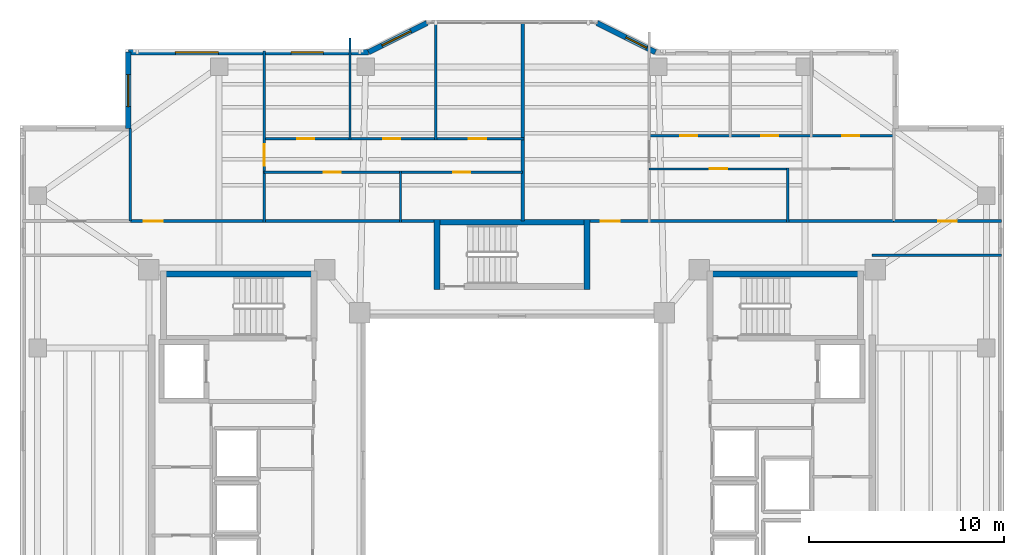
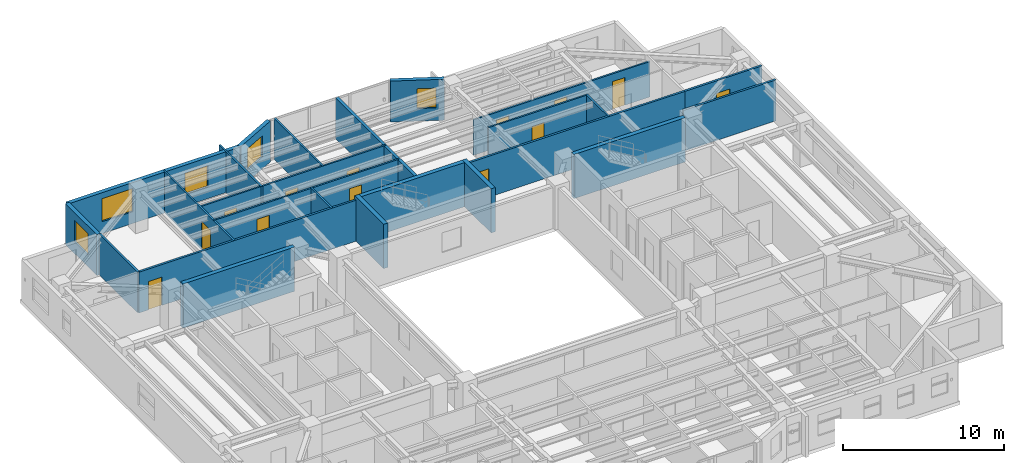
# One storey, part 10 of 16: 25 walls, 13 doors, 5 windows, 18 openings.
"""IFC4 building model written with IfcOpenShell, lengths in metres."""

from ifc_helpers import new_model, si_unit, direction, frame, frame_2d, origin, place, context, subcontext, project, spatial, rectangle, extrude, material, layer, layer_set, type_object, element, fill, save


model = new_model("IFC4")

# Units and contexts
model_context = context("Model", 3, precision=1e-05, world=origin(), true_north=direction((0.0, 1.0)))
body_context = subcontext(model_context, "Body", "Model", "MODEL_VIEW")
ifc_project = project(units=[si_unit("LENGTHUNIT", "METRE"), si_unit("AREAUNIT", "SQUARE_METRE"), si_unit("VOLUMEUNIT", "CUBIC_METRE"), si_unit("PLANEANGLEUNIT", "RADIAN"), si_unit("MASSUNIT", "GRAM", prefix="KILO")], contexts=[model_context])

# Site, building, storey
site_placement = place(None, origin())
site = spatial("IfcSite", under=ifc_project, at=site_placement, CompositionType="ELEMENT")
building_placement = place(site_placement, origin())
building = spatial("IfcBuilding", under=site, at=building_placement, Name="Tarnavaz Court Tower", CompositionType="ELEMENT")
storey_placement = place(building_placement, frame((0.0, 0.0, 149.35009765625)))
storey = spatial("IfcBuildingStorey", under=building, at=storey_placement, Name="L40", CompositionType="ELEMENT", Elevation=149.35009765625)

# Walls
ifc_material_1 = material(Name="Concrete C50/60", Category="concrete")
ifc_layer_1 = layer(ifc_material_1, 0.300048828125)
ifc_layer_set_1 = layer_set([ifc_layer_1], Name="Concrete C50/60")
wall_type_1 = type_object("IfcWallType", Name="WL-CORE-300-C50", PredefinedType="SHEAR", material=ifc_layer_set_1)
for number, where, z_axis, x_axis, name in (
    (1, (-18.0, 9.7900390625, 0.0), (0.0, 0.0, 1.0), (1.0, 0.0, 0.0), "L40 West Stair Core Wall 001"),
    (2, (10.0, 9.7900390625, 0.0), (0.0, 0.0, 1.0), (1.0, 0.0, 0.0), "L40 East Stair Core Wall 005"),
    (3, (-4.0, 12.43994140625, 0.0), (0.0, 0.0, 1.0), (1.0, 0.0, 0.0), "L40 North Stair Core Wall 009"),
):
    element("IfcWall", number, at=place(storey_placement, frame(where, z_axis=z_axis, x_axis=x_axis)), inside=storey, type_object=wall_type_1, Name=name, PredefinedType="SHEAR", context=body_context, shape_type="SweptSolid", body=[
        extrude(rectangle(XDim=8.0, YDim=0.300048828125, at=frame_2d((4.0, 0.0))), origin(), (0.0, 0.0, 1.0), 3.349853515625),
    ])
for number, where, z_axis, x_axis, name in (
    (4, (-3.85009765625, 9.0, 0.0), (0.0, 0.0, 1.0), (0.0, 1.0, 0.0), "L40 North Stair Core Wall 011"),
    (5, (3.85009765625, 9.0, 0.0), (0.0, 0.0, 1.0), (0.0, 1.0, 0.0), "L40 North Stair Core Wall 012"),
):
    element("IfcWall", number, at=place(storey_placement, frame(where, z_axis=z_axis, x_axis=x_axis)), inside=storey, type_object=wall_type_1, Name=name, PredefinedType="SHEAR", context=body_context, shape_type="SweptSolid", body=[
        extrude(rectangle(XDim=3.590087890625, YDim=0.300048828125, at=frame_2d((1.794921875, 0.0))), origin(), (0.0, 0.0, 1.0), 3.349853515625),
    ])

# Wall, opening, window
ifc_material_2 = material(Name="Precast Concrete C40/50", Category="concrete")
ifc_layer_2 = layer(ifc_material_2, 0.280029296875)
ifc_layer_set_2 = layer_set([ifc_layer_2], Name="Precast Concrete C40/50")
wall_type_2 = type_object("IfcWallType", Name="WL-EXT-280", PredefinedType="SOLIDWALL", material=ifc_layer_set_2)
wall_1_placement = place(storey_placement, frame((-19.64990234375, 17.25, 0.0), z_axis=(0.0, 0.0, 1.0), x_axis=(0.0, 1.0, 0.0)))
wall_1 = element("IfcWall", 6, at=wall_1_placement, inside=storey, type_object=wall_type_2, Name="L40 Exterior Terracotta Facade Wall 04", PredefinedType="SOLIDWALL", context=body_context, shape_type="SweptSolid", body=[
    extrude(rectangle(XDim=3.89990234375, YDim=0.280029296875, at=frame_2d((1.949951171875, 0.0))), origin(), (0.0, 0.0, 1.0), 3.099853515625),
])
opening_1_placement = place(wall_1_placement, frame((1.107177734375, 0.0, 0.89990234375)))
opening_1 = element("IfcOpeningElement", 7, at=opening_1_placement, cuts=wall_1, Name="Opening W02", PredefinedType="OPENING", context=body_context, shape_type="SweptSolid", body=[
    extrude(rectangle(XDim=1.64990234375, YDim=1.60009765625, at=frame_2d((0.824951171875, 0.800048828125))), frame((0.0, 0.14990234375, 0.0), z_axis=(0.0, -1.0, 0.0), x_axis=(1.0, 0.0, 0.0)), (0.0, 0.0, 1.0), 0.300048828125),
])
ifc_material_3 = material(Name="Double-Glazed Solar Low-E Glass", Category="glass")
window_type_1 = type_object("IfcWindowType", Name="WN-APT-1650", PartitioningType="DOUBLE_PANEL_VERTICAL", PredefinedType="WINDOW", material=ifc_material_3)
window_1_placement = place(opening_1_placement, origin())
window_1 = element("IfcWindow", 8, at=window_1_placement, inside=storey, type_object=window_type_1, Name="L40 Flat 01 Living and Dining Room Window", OverallHeight=1.60009765625, OverallWidth=1.64990234375, PartitioningType="SINGLE_PANEL", PredefinedType="WINDOW", context=body_context, shape_type="SweptSolid", body=[
    extrude(rectangle(XDim=1.64990234375, YDim=1.60009765625, at=frame_2d((0.824951171875, 0.800048828125))), frame((0.0, 0.030029296875, 0.0), z_axis=(0.0, -1.0, 0.0), x_axis=(1.0, 0.0, 0.0)), (0.0, 0.0, 1.0), 0.06005859375),
])
fill(opening_1, window_1)

# Wall, openings, windows
wall_2_placement = place(storey_placement, frame((-19.64990234375, 21.14990234375, 0.0), z_axis=(0.0, 0.0, 1.0), x_axis=(1.0, 0.0, 0.0)))
wall_2 = element("IfcWall", 9, at=wall_2_placement, inside=storey, type_object=wall_type_2, Name="L40 Exterior Terracotta Facade Wall 05", PredefinedType="SOLIDWALL", context=body_context, shape_type="SweptSolid", body=[
    extrude(rectangle(XDim=12.2998046875, YDim=0.280029296875, at=frame_2d((6.14990234375, 0.0))), origin(), (0.0, 0.0, 1.0), 3.099853515625),
])
opening_2_placement = place(wall_2_placement, frame((2.414306640625, 0.0, 0.89990234375)))
opening_2 = element("IfcOpeningElement", 10, at=opening_2_placement, cuts=wall_2, Name="Opening W07", PredefinedType="OPENING", context=body_context, shape_type="SweptSolid", body=[
    extrude(rectangle(XDim=2.199951171875, YDim=1.75, at=frame_2d((1.10009765625, 0.875))), frame((0.0, 0.14990234375, 0.0), z_axis=(0.0, -1.0, 0.0), x_axis=(1.0, 0.0, 0.0)), (0.0, 0.0, 1.0), 0.300048828125),
])
opening_3_placement = place(wall_2_placement, frame((8.337158203125, 0.0, 0.89990234375)))
opening_3 = element("IfcOpeningElement", 11, at=opening_3_placement, cuts=wall_2, Name="Opening W02", PredefinedType="OPENING", context=body_context, shape_type="SweptSolid", body=[
    extrude(rectangle(XDim=1.64990234375, YDim=1.60009765625, at=frame_2d((0.824951171875, 0.800048828125))), frame((0.0, 0.14990234375, 0.0), z_axis=(0.0, -1.0, 0.0), x_axis=(1.0, 0.0, 0.0)), (0.0, 0.0, 1.0), 0.300048828125),
])
window_2_placement = place(opening_3_placement, origin())
window_2 = element("IfcWindow", 12, at=window_2_placement, inside=storey, type_object=window_type_1, Name="L40 Flat 01 Principal Bedroom Window", OverallHeight=1.60009765625, OverallWidth=1.64990234375, PartitioningType="SINGLE_PANEL", PredefinedType="WINDOW", context=body_context, shape_type="SweptSolid", body=[
    extrude(rectangle(XDim=1.64990234375, YDim=1.60009765625, at=frame_2d((0.824951171875, 0.800048828125))), frame((0.0, 0.030029296875, 0.0), z_axis=(0.0, -1.0, 0.0), x_axis=(1.0, 0.0, 0.0)), (0.0, 0.0, 1.0), 0.06005859375),
])
fill(opening_3, window_2)
window_type_2 = type_object("IfcWindowType", Name="WN-APT-2200", PartitioningType="TRIPLE_PANEL_VERTICAL", PredefinedType="WINDOW", material=ifc_material_3)
window_3_placement = place(opening_2_placement, origin())
window_3 = element("IfcWindow", 13, at=window_3_placement, inside=storey, type_object=window_type_2, Name="L40 Flat 01 Living and Dining Room Window", OverallHeight=1.75, OverallWidth=2.199951171875, PartitioningType="SINGLE_PANEL", PredefinedType="WINDOW", context=body_context, shape_type="SweptSolid", body=[
    extrude(rectangle(XDim=2.199951171875, YDim=1.75, at=frame_2d((1.10009765625, 0.875))), frame((0.0, 0.030029296875, 0.0), z_axis=(0.0, -1.0, 0.0), x_axis=(1.0, 0.0, 0.0)), (0.0, 0.0, 1.0), 0.06005859375),
])
fill(opening_2, window_3)

# Wall, opening, window
wall_3_placement = place(storey_placement, frame((-7.35009765625, 21.14990234375, 0.0), z_axis=(0.0, 0.0, 1.0), x_axis=(0.894427191, 0.4472135955, 0.0)))
wall_3 = element("IfcWall", 14, at=wall_3_placement, inside=storey, type_object=wall_type_2, Name="L40 Exterior Terracotta Facade Wall 06", PredefinedType="SOLIDWALL", context=body_context, shape_type="SweptSolid", body=[
    extrude(rectangle(XDim=3.35400390625, YDim=0.280029296875, at=frame_2d((1.677001953125, 0.0))), origin(), (0.0, 0.0, 1.0), 3.099853515625),
])
opening_4_placement = place(wall_3_placement, frame((0.77197265625, 0.0, 0.89990234375)))
opening_4 = element("IfcOpeningElement", 15, at=opening_4_placement, cuts=wall_3, Name="Opening W02", PredefinedType="OPENING", context=body_context, shape_type="SweptSolid", body=[
    extrude(rectangle(XDim=1.64990234375, YDim=1.60009765625, at=frame_2d((0.824951171875, 0.800048828125))), frame((0.0, 0.14990234375, 0.0), z_axis=(0.0, -1.0, 0.0), x_axis=(1.0, 0.0, 0.0)), (0.0, 0.0, 1.0), 0.300048828125),
])
window_4_placement = place(opening_4_placement, origin())
window_4 = element("IfcWindow", 16, at=window_4_placement, inside=storey, type_object=window_type_1, Name="L40 Flat 01 Bedroom 2 Window", OverallHeight=1.60009765625, OverallWidth=1.64990234375, PartitioningType="SINGLE_PANEL", PredefinedType="WINDOW", context=body_context, shape_type="SweptSolid", body=[
    extrude(rectangle(XDim=1.64990234375, YDim=1.60009765625, at=frame_2d((0.824951171875, 0.800048828125))), frame((0.0, 0.030029296875, 0.0), z_axis=(0.0, -1.0, 0.0), x_axis=(1.0, 0.0, 0.0)), (0.0, 0.0, 1.0), 0.06005859375),
])
fill(opening_4, window_4)

wall_4_placement = place(storey_placement, frame((4.35009765625, 22.64990234375, 0.0), z_axis=(0.0, 0.0, 1.0), x_axis=(0.894427191, -0.4472135955, 0.0)))
wall_4 = element("IfcWall", 17, at=wall_4_placement, inside=storey, type_object=wall_type_2, Name="L40 Exterior Terracotta Facade Wall 08", PredefinedType="SOLIDWALL", context=body_context, shape_type="SweptSolid", body=[
    extrude(rectangle(XDim=3.35400390625, YDim=0.280029296875, at=frame_2d((1.677001953125, 0.0))), origin(), (0.0, 0.0, 1.0), 3.099853515625),
])
opening_5_placement = place(wall_4_placement, frame((1.65283203125, 0.0, 0.949951171875)))
opening_5 = element("IfcOpeningElement", 18, at=opening_5_placement, cuts=wall_4, Name="Opening W05", PredefinedType="OPENING", context=body_context, shape_type="SweptSolid", body=[
    extrude(rectangle(XDim=1.199951171875, YDim=1.5, at=frame_2d((0.60009765625, 0.75))), frame((0.0, 0.14990234375, 0.0), z_axis=(0.0, -1.0, 0.0), x_axis=(1.0, 0.0, 0.0)), (0.0, 0.0, 1.0), 0.300048828125),
])
window_type_3 = type_object("IfcWindowType", Name="WN-APT-1200", PartitioningType="SINGLE_PANEL", PredefinedType="WINDOW", material=ifc_material_3)
window_5_placement = place(opening_5_placement, origin())
window_5 = element("IfcWindow", 19, at=window_5_placement, inside=storey, type_object=window_type_3, Name="L40 Flat 02 Living and Dining Room Window", OverallHeight=1.5, OverallWidth=1.199951171875, PartitioningType="SINGLE_PANEL", PredefinedType="WINDOW", context=body_context, shape_type="SweptSolid", body=[
    extrude(rectangle(XDim=1.199951171875, YDim=1.5, at=frame_2d((0.60009765625, 0.75))), frame((0.0, 0.030029296875, 0.0), z_axis=(0.0, -1.0, 0.0), x_axis=(1.0, 0.0, 0.0)), (0.0, 0.0, 1.0), 0.06005859375),
])
fill(opening_5, window_5)

# Wall, opening, door
ifc_material_4 = material(Name="Gypsum Fire-Board on Acoustic Metal Stud", Category="masonry")
ifc_layer_3 = layer(ifc_material_4, 0.14990234375)
ifc_layer_set_3 = layer_set([ifc_layer_3], Name="Gypsum Fire-Board on Acoustic Metal Stud")
wall_type_3 = type_object("IfcWallType", Name="WL-FIRE-150", PredefinedType="PARTITIONING", material=ifc_layer_set_3)
wall_5_placement = place(storey_placement, frame((-19.550048828125, 12.5, 0.0), z_axis=(0.0, 0.0, 1.0), x_axis=(1.0, 0.0, 0.0)))
wall_5 = element("IfcWall", 20, at=wall_5_placement, inside=storey, type_object=wall_type_3, Name="L40 NW Wing Corridor Wall 072", PredefinedType="PARTITIONING", context=body_context, shape_type="SweptSolid", body=[
    extrude(rectangle(XDim=15.699951171875, YDim=0.14990234375, at=frame_2d((7.85009765625, 0.0))), origin(), (0.0, 0.0, 1.0), 3.099853515625),
])
opening_6_placement = place(wall_5_placement, frame((0.699951171875, 0.0, 0.0)))
opening_6 = element("IfcOpeningElement", 21, at=opening_6_placement, cuts=wall_5, Name="Opening D06", PredefinedType="OPENING", context=body_context, shape_type="SweptSolid", body=[
    extrude(rectangle(XDim=0.9599609375, YDim=2.14990234375, at=frame_2d((0.47998046875, 1.074951171875))), frame((0.0, 0.0849609375, 0.0), z_axis=(0.0, -1.0, 0.0), x_axis=(1.0, 0.0, 0.0)), (0.0, 0.0, 1.0), 0.169921875),
])
ifc_material_5 = material(Name="Fire-Rated Hardwood Timber Core", Category="wood")
door_type_1 = type_object("IfcDoorType", Name="DR-FD60-950", OperationType="NOTDEFINED", PredefinedType="DOOR", material=ifc_material_5)
door_1_placement = place(opening_6_placement, origin())
door_1 = element("IfcDoor", 22, at=door_1_placement, inside=storey, type_object=door_type_1, Name="L40 Flat 01 Entrance Door", OperationType="SINGLE_SWING_RIGHT", OverallHeight=2.14990234375, OverallWidth=0.9599609375, PredefinedType="DOOR", context=body_context, shape_type="SweptSolid", body=[
    extrude(rectangle(XDim=0.9599609375, YDim=2.14990234375, at=frame_2d((0.47998046875, 1.074951171875))), frame((0.0, 0.02490234375, 0.0), z_axis=(0.0, -1.0, 0.0), x_axis=(1.0, 0.0, 0.0)), (0.0, 0.0, 1.0), 0.050048828125),
])
fill(opening_6, door_1)

wall_6_placement = place(storey_placement, frame((3.85009765625, 12.5, 0.0), z_axis=(0.0, 0.0, 1.0), x_axis=(1.0, 0.0, 0.0)))
wall_6 = element("IfcWall", 23, at=wall_6_placement, inside=storey, type_object=wall_type_3, Name="L40 NE Wing Corridor Wall 073", PredefinedType="PARTITIONING", context=body_context, shape_type="SweptSolid", body=[
    extrude(rectangle(XDim=15.699951171875, YDim=0.14990234375, at=frame_2d((7.85009765625, 0.0))), origin(), (0.0, 0.0, 1.0), 3.099853515625),
])
opening_7_placement = place(wall_6_placement, frame((0.699951171875, 0.0, 0.0)))
opening_7 = element("IfcOpeningElement", 24, at=opening_7_placement, cuts=wall_6, Name="Opening D06", PredefinedType="OPENING", context=body_context, shape_type="SweptSolid", body=[
    extrude(rectangle(XDim=0.9599609375, YDim=2.14990234375, at=frame_2d((0.47998046875, 1.074951171875))), frame((0.0, 0.0849609375, 0.0), z_axis=(0.0, -1.0, 0.0), x_axis=(1.0, 0.0, 0.0)), (0.0, 0.0, 1.0), 0.169921875),
])
door_2_placement = place(opening_7_placement, origin())
door_2 = element("IfcDoor", 25, at=door_2_placement, inside=storey, type_object=door_type_1, Name="L40 Flat 02 Entrance Door", OperationType="SINGLE_SWING_LEFT", OverallHeight=2.14990234375, OverallWidth=0.9599609375, PredefinedType="DOOR", context=body_context, shape_type="SweptSolid", body=[
    extrude(rectangle(XDim=0.9599609375, YDim=2.14990234375, at=frame_2d((0.47998046875, 1.074951171875))), frame((0.0, 0.02490234375, 0.0), z_axis=(0.0, -1.0, 0.0), x_axis=(1.0, 0.0, 0.0)), (0.0, 0.0, 1.0), 0.050048828125),
])
fill(opening_7, door_2)

# Wall
wall_7_placement = place(storey_placement, frame((18.449951171875, 10.75, 0.0), z_axis=(0.0, 0.0, 1.0), x_axis=(1.0, 0.0, 0.0)))
element("IfcWall", 26, at=wall_7_placement, inside=storey, type_object=wall_type_3, Name="L40 Interior Partition 118", PredefinedType="PARTITIONING", context=body_context, shape_type="SweptSolid", body=[
    extrude(rectangle(XDim=6.630126953125, YDim=0.14990234375, at=frame_2d((3.31494140625, 0.0))), origin(), (0.0, 0.0, 1.0), 3.099853515625),
])

# Wall, opening, door
wall_8_placement = place(storey_placement, frame((19.550048828125, 12.5, 0.0), z_axis=(0.0, 0.0, 1.0), x_axis=(1.0, 0.0, 0.0)))
wall_8 = element("IfcWall", 27, at=wall_8_placement, inside=storey, type_object=wall_type_3, Name="L40 Interior Partition 124", PredefinedType="PARTITIONING", context=body_context, shape_type="SweptSolid", body=[
    extrude(rectangle(XDim=5.530029296875, YDim=0.14990234375, at=frame_2d((2.76513671875, 0.0))), origin(), (0.0, 0.0, 1.0), 3.099853515625),
])
opening_8_placement = place(wall_8_placement, frame((2.2900390625, 0.0, 0.0)))
opening_8 = element("IfcOpeningElement", 28, at=opening_8_placement, cuts=wall_8, Name="Opening D13", PredefinedType="OPENING", context=body_context, shape_type="SweptSolid", body=[
    extrude(rectangle(XDim=0.949951171875, YDim=2.14990234375, at=frame_2d((0.47509765625, 1.074951171875))), frame((0.0, 0.0849609375, 0.0), z_axis=(0.0, -1.0, 0.0), x_axis=(1.0, 0.0, 0.0)), (0.0, 0.0, 1.0), 0.169921875),
])
ifc_material_6 = material(Name="Engineered Oak Timber", Category="wood")
door_type_2 = type_object("IfcDoorType", Name="DR-INT-950", OperationType="NOTDEFINED", PredefinedType="DOOR", material=ifc_material_6)
door_3_placement = place(opening_8_placement, origin())
door_3 = element("IfcDoor", 29, at=door_3_placement, inside=storey, type_object=door_type_2, Name="L40 NE Sunroom Door", OperationType="SINGLE_SWING_RIGHT", OverallHeight=2.14990234375, OverallWidth=0.949951171875, PredefinedType="DOOR", context=body_context, shape_type="SweptSolid", body=[
    extrude(rectangle(XDim=0.949951171875, YDim=2.14990234375, at=frame_2d((0.47509765625, 1.074951171875))), frame((0.0, 0.02490234375, 0.0), z_axis=(0.0, -1.0, 0.0), x_axis=(1.0, 0.0, 0.0)), (0.0, 0.0, 1.0), 0.050048828125),
])
fill(opening_8, door_3)

# Wall
ifc_material_7 = material(Name="Autoclaved Aerated Concrete Blockwork", Category="masonry")
ifc_layer_4 = layer(ifc_material_7, 0.199951171875)
ifc_layer_set_4 = layer_set([ifc_layer_4], Name="Autoclaved Aerated Concrete Blockwork")
wall_type_4 = type_object("IfcWallType", Name="WL-FIRE-200", PredefinedType="SOLIDWALL", material=ifc_layer_set_4)
wall_9_placement = place(storey_placement, frame((0.550048828125, 12.5, 0.0), z_axis=(0.0, 0.0, 1.0), x_axis=(0.0, 1.0, 0.0)))
element("IfcWall", 30, at=wall_9_placement, inside=storey, type_object=wall_type_4, Name="L40 North Center Party Wall 076", PredefinedType="SOLIDWALL", context=body_context, shape_type="SweptSolid", body=[
    extrude(rectangle(XDim=10.179931640625, YDim=0.199951171875, at=frame_2d((5.08984375, 0.0))), origin(), (0.0, 0.0, 1.0), 3.099853515625),
])

# Wall, opening, door
ifc_material_8 = material(Name="Moisture-Resistant Gypsum Board Partition", Category="masonry")
ifc_layer_5 = layer(ifc_material_8, 0.1201171875)
ifc_layer_set_5 = layer_set([ifc_layer_5], Name="Moisture-Resistant Gypsum Board Partition")
wall_type_5 = type_object("IfcWallType", Name="WL-PART-120", PredefinedType="PARTITIONING", material=ifc_layer_set_5)
wall_10_placement = place(storey_placement, frame((-12.697021484375, 12.43994140625, 0.0), z_axis=(0.0, 0.0, 1.0), x_axis=(0.0, 1.0, 0.0)))
wall_10 = element("IfcWall", 31, at=wall_10_placement, inside=storey, type_object=wall_type_5, Name="L40 Interior Partition 077", PredefinedType="PARTITIONING", context=body_context, shape_type="SweptSolid", body=[
    extrude(rectangle(XDim=8.760009765625, YDim=0.1201171875, at=frame_2d((4.3798828125, 0.0))), origin(), (0.0, 0.0, 1.0), 3.099853515625),
])
opening_9_placement = place(wall_10_placement, frame((2.905029296875, 0.0, 0.0)))
opening_9 = element("IfcOpeningElement", 32, at=opening_9_placement, cuts=wall_10, Name="Opening D12", PredefinedType="OPENING", context=body_context, shape_type="SweptSolid", body=[
    extrude(rectangle(XDim=1.080078125, YDim=2.14990234375, at=frame_2d((0.5400390625, 1.074951171875))), frame((0.0, 0.070068359375, 0.0), z_axis=(0.0, -1.0, 0.0), x_axis=(1.0, 0.0, 0.0)), (0.0, 0.0, 1.0), 0.14013671875),
])
door_type_3 = type_object("IfcDoorType", Name="DR-INT-1100", OperationType="NOTDEFINED", PredefinedType="DOOR", material=ifc_material_6)
door_4_placement = place(opening_9_placement, origin())
door_4 = element("IfcDoor", 33, at=door_4_placement, inside=storey, type_object=door_type_3, Name="L40 Flat 01 Foyer Door", OperationType="SINGLE_SWING_LEFT", OverallHeight=2.14990234375, OverallWidth=1.080078125, PredefinedType="DOOR", context=body_context, shape_type="SweptSolid", body=[
    extrude(rectangle(XDim=1.080078125, YDim=2.14990234375, at=frame_2d((0.5400390625, 1.074951171875))), frame((0.0, 0.02490234375, 0.0), z_axis=(0.0, -1.0, 0.0), x_axis=(1.0, 0.0, 0.0)), (0.0, 0.0, 1.0), 0.050048828125),
])
fill(opening_9, door_4)

wall_11_placement = place(storey_placement, frame((-12.697021484375, 15.0, 0.0), z_axis=(0.0, 0.0, 1.0), x_axis=(1.0, 0.0, 0.0)))
wall_11 = element("IfcWall", 34, at=wall_11_placement, inside=storey, type_object=wall_type_5, Name="L40 Interior Partition 078", PredefinedType="PARTITIONING", context=body_context, shape_type="SweptSolid", body=[
    extrude(rectangle(XDim=6.989013671875, YDim=0.1201171875, at=frame_2d((3.49462890625, 0.0))), origin(), (0.0, 0.0, 1.0), 3.099853515625),
])
opening_10_placement = place(wall_11_placement, frame((3.053955078125, 0.0, 0.0)))
opening_10 = element("IfcOpeningElement", 35, at=opening_10_placement, cuts=wall_11, Name="Opening D14", PredefinedType="OPENING", context=body_context, shape_type="SweptSolid", body=[
    extrude(rectangle(XDim=0.8798828125, YDim=2.10009765625, at=frame_2d((0.43994140625, 1.050048828125))), frame((0.0, 0.070068359375, 0.0), z_axis=(0.0, -1.0, 0.0), x_axis=(1.0, 0.0, 0.0)), (0.0, 0.0, 1.0), 0.14013671875),
])
door_type_4 = type_object("IfcDoorType", Name="DR-INT-900", OperationType="NOTDEFINED", PredefinedType="DOOR", material=ifc_material_6)
door_5_placement = place(opening_10_placement, origin())
door_5 = element("IfcDoor", 36, at=door_5_placement, inside=storey, type_object=door_type_4, Name="L40 Flat 01 Kitchen Door", OperationType="SINGLE_SWING_RIGHT", OverallHeight=2.10009765625, OverallWidth=0.8798828125, PredefinedType="DOOR", context=body_context, shape_type="SweptSolid", body=[
    extrude(rectangle(XDim=0.8798828125, YDim=2.10009765625, at=frame_2d((0.43994140625, 1.050048828125))), frame((0.0, 0.02490234375, 0.0), z_axis=(0.0, -1.0, 0.0), x_axis=(1.0, 0.0, 0.0)), (0.0, 0.0, 1.0), 0.050048828125),
])
fill(opening_10, door_5)

wall_12_placement = place(storey_placement, frame((-5.7080078125, 15.0, 0.0), z_axis=(0.0, 0.0, 1.0), x_axis=(1.0, 0.0, 0.0)))
wall_12 = element("IfcWall", 37, at=wall_12_placement, inside=storey, type_object=wall_type_5, Name="L40 Interior Partition 079", PredefinedType="PARTITIONING", context=body_context, shape_type="SweptSolid", body=[
    extrude(rectangle(XDim=6.258056640625, YDim=0.1201171875, at=frame_2d((3.12890625, 0.0))), origin(), (0.0, 0.0, 1.0), 3.099853515625),
])
opening_11_placement = place(wall_12_placement, frame((2.68896484375, 0.0, 0.0)))
opening_11 = element("IfcOpeningElement", 38, at=opening_11_placement, cuts=wall_12, Name="Opening D14", PredefinedType="OPENING", context=body_context, shape_type="SweptSolid", body=[
    extrude(rectangle(XDim=0.8798828125, YDim=2.10009765625, at=frame_2d((0.43994140625, 1.050048828125))), frame((0.0, 0.070068359375, 0.0), z_axis=(0.0, -1.0, 0.0), x_axis=(1.0, 0.0, 0.0)), (0.0, 0.0, 1.0), 0.14013671875),
])
door_6_placement = place(opening_11_placement, origin())
door_6 = element("IfcDoor", 39, at=door_6_placement, inside=storey, type_object=door_type_4, Name="L40 Flat 01 Bathroom Door", OperationType="SINGLE_SWING_LEFT", OverallHeight=2.10009765625, OverallWidth=0.8798828125, PredefinedType="DOOR", context=body_context, shape_type="SweptSolid", body=[
    extrude(rectangle(XDim=0.8798828125, YDim=2.10009765625, at=frame_2d((0.43994140625, 1.050048828125))), frame((0.0, 0.02490234375, 0.0), z_axis=(0.0, -1.0, 0.0), x_axis=(1.0, 0.0, 0.0)), (0.0, 0.0, 1.0), 0.050048828125),
])
fill(opening_11, door_6)

# Wall, openings, doors
wall_13_placement = place(storey_placement, frame((-12.757080078125, 16.7099609375, 0.0), z_axis=(0.0, 0.0, 1.0), x_axis=(1.0, 0.0, 0.0)))
wall_13 = element("IfcWall", 40, at=wall_13_placement, inside=storey, type_object=wall_type_5, Name="L40 Interior Partition 080", PredefinedType="PARTITIONING", context=body_context, shape_type="SweptSolid", body=[
    extrude(rectangle(XDim=13.3671875, YDim=0.1201171875, at=frame_2d((6.68359375, 0.0))), origin(), (0.0, 0.0, 1.0), 3.099853515625),
])
opening_12_placement = place(wall_13_placement, frame((1.758056640625, 0.0, 0.0)))
opening_12 = element("IfcOpeningElement", 41, at=opening_12_placement, cuts=wall_13, Name="Opening D14", PredefinedType="OPENING", context=body_context, shape_type="SweptSolid", body=[
    extrude(rectangle(XDim=0.8798828125, YDim=2.10009765625, at=frame_2d((0.43994140625, 1.050048828125))), frame((0.0, 0.070068359375, 0.0), z_axis=(0.0, -1.0, 0.0), x_axis=(1.0, 0.0, 0.0)), (0.0, 0.0, 1.0), 0.14013671875),
])
opening_13_placement = place(wall_13_placement, frame((6.153076171875, 0.0, 0.0)))
opening_13 = element("IfcOpeningElement", 42, at=opening_13_placement, cuts=wall_13, Name="Opening D14", PredefinedType="OPENING", context=body_context, shape_type="SweptSolid", body=[
    extrude(rectangle(XDim=0.8798828125, YDim=2.10009765625, at=frame_2d((0.43994140625, 1.050048828125))), frame((0.0, 0.070068359375, 0.0), z_axis=(0.0, -1.0, 0.0), x_axis=(1.0, 0.0, 0.0)), (0.0, 0.0, 1.0), 0.14013671875),
])
opening_14_placement = place(wall_13_placement, frame((10.549072265625, 0.0, 0.0)))
opening_14 = element("IfcOpeningElement", 43, at=opening_14_placement, cuts=wall_13, Name="Opening D14", PredefinedType="OPENING", context=body_context, shape_type="SweptSolid", body=[
    extrude(rectangle(XDim=0.8798828125, YDim=2.10009765625, at=frame_2d((0.43994140625, 1.050048828125))), frame((0.0, 0.070068359375, 0.0), z_axis=(0.0, -1.0, 0.0), x_axis=(1.0, 0.0, 0.0)), (0.0, 0.0, 1.0), 0.14013671875),
])
door_7_placement = place(opening_12_placement, origin())
door_7 = element("IfcDoor", 44, at=door_7_placement, inside=storey, type_object=door_type_4, Name="L40 Flat 01 Bedroom 1 Door", OperationType="SINGLE_SWING_RIGHT", OverallHeight=2.10009765625, OverallWidth=0.8798828125, PredefinedType="DOOR", context=body_context, shape_type="SweptSolid", body=[
    extrude(rectangle(XDim=0.8798828125, YDim=2.10009765625, at=frame_2d((0.43994140625, 1.050048828125))), frame((0.0, 0.02490234375, 0.0), z_axis=(0.0, -1.0, 0.0), x_axis=(1.0, 0.0, 0.0)), (0.0, 0.0, 1.0), 0.050048828125),
])
fill(opening_12, door_7)
door_8_placement = place(opening_13_placement, origin())
door_8 = element("IfcDoor", 45, at=door_8_placement, inside=storey, type_object=door_type_4, Name="L40 Flat 01 Bedroom 2 Door", OperationType="SINGLE_SWING_LEFT", OverallHeight=2.10009765625, OverallWidth=0.8798828125, PredefinedType="DOOR", context=body_context, shape_type="SweptSolid", body=[
    extrude(rectangle(XDim=0.8798828125, YDim=2.10009765625, at=frame_2d((0.43994140625, 1.050048828125))), frame((0.0, 0.02490234375, 0.0), z_axis=(0.0, -1.0, 0.0), x_axis=(1.0, 0.0, 0.0)), (0.0, 0.0, 1.0), 0.050048828125),
])
fill(opening_13, door_8)
door_9_placement = place(opening_14_placement, origin())
door_9 = element("IfcDoor", 46, at=door_9_placement, inside=storey, type_object=door_type_4, Name="L40 Flat 01 Bedroom 3 Door", OperationType="SINGLE_SWING_RIGHT", OverallHeight=2.10009765625, OverallWidth=0.8798828125, PredefinedType="DOOR", context=body_context, shape_type="SweptSolid", body=[
    extrude(rectangle(XDim=0.8798828125, YDim=2.10009765625, at=frame_2d((0.43994140625, 1.050048828125))), frame((0.0, 0.02490234375, 0.0), z_axis=(0.0, -1.0, 0.0), x_axis=(1.0, 0.0, 0.0)), (0.0, 0.0, 1.0), 0.050048828125),
])
fill(opening_14, door_9)

# Walls
wall_14_placement = place(storey_placement, frame((-5.7080078125, 12.43994140625, 0.0), z_axis=(0.0, 0.0, 1.0), x_axis=(0.0, 1.0, 0.0)))
element("IfcWall", 47, at=wall_14_placement, inside=storey, type_object=wall_type_5, Name="L40 Interior Partition 081", PredefinedType="PARTITIONING", context=body_context, shape_type="SweptSolid", body=[
    extrude(rectangle(XDim=2.6201171875, YDim=0.1201171875, at=frame_2d((1.31005859375, 0.0))), origin(), (0.0, 0.0, 1.0), 3.099853515625),
])
wall_15_placement = place(storey_placement, frame((-8.301025390625, 16.64990234375, 0.0), z_axis=(0.0, 0.0, 1.0), x_axis=(0.0, 1.0, 0.0)))
element("IfcWall", 48, at=wall_15_placement, inside=storey, type_object=wall_type_5, Name="L40 Interior Partition 082", PredefinedType="PARTITIONING", context=body_context, shape_type="SweptSolid", body=[
    extrude(rectangle(XDim=5.216064453125, YDim=0.1201171875, at=frame_2d((2.60791015625, 0.0))), origin(), (0.0, 0.0, 1.0), 3.099853515625),
])
wall_16_placement = place(storey_placement, frame((-3.906005859375, 16.64990234375, 0.0), z_axis=(0.0, 0.0, 1.0), x_axis=(0.0, 1.0, 0.0)))
element("IfcWall", 49, at=wall_16_placement, inside=storey, type_object=wall_type_5, Name="L40 Interior Partition 083", PredefinedType="PARTITIONING", context=body_context, shape_type="SweptSolid", body=[
    extrude(rectangle(XDim=6.030029296875, YDim=0.1201171875, at=frame_2d((3.01513671875, 0.0))), origin(), (0.0, 0.0, 1.0), 3.099853515625),
])

# Wall, opening, door
wall_17_placement = place(storey_placement, frame((7.029052734375, 15.169921875, 0.0), z_axis=(0.0, 0.0, 1.0), x_axis=(1.0, 0.0, 0.0)))
wall_17 = element("IfcWall", 50, at=wall_17_placement, inside=storey, type_object=wall_type_5, Name="L40 Interior Partition 085", PredefinedType="PARTITIONING", context=body_context, shape_type="SweptSolid", body=[
    extrude(rectangle(XDim=7.10302734375, YDim=0.1201171875, at=frame_2d((3.551513671875, 0.0))), origin(), (0.0, 0.0, 1.0), 3.099853515625),
])
opening_15_placement = place(wall_17_placement, frame((3.111083984375, 0.0, 0.0)))
opening_15 = element("IfcOpeningElement", 51, at=opening_15_placement, cuts=wall_17, Name="Opening D14", PredefinedType="OPENING", context=body_context, shape_type="SweptSolid", body=[
    extrude(rectangle(XDim=0.8798828125, YDim=2.10009765625, at=frame_2d((0.43994140625, 1.050048828125))), frame((0.0, 0.070068359375, 0.0), z_axis=(0.0, -1.0, 0.0), x_axis=(1.0, 0.0, 0.0)), (0.0, 0.0, 1.0), 0.14013671875),
])
door_10_placement = place(opening_15_placement, origin())
door_10 = element("IfcDoor", 52, at=door_10_placement, inside=storey, type_object=door_type_4, Name="L40 Flat 02 Kitchen Door", OperationType="SINGLE_SWING_LEFT", OverallHeight=2.10009765625, OverallWidth=0.8798828125, PredefinedType="DOOR", context=body_context, shape_type="SweptSolid", body=[
    extrude(rectangle(XDim=0.8798828125, YDim=2.10009765625, at=frame_2d((0.43994140625, 1.050048828125))), frame((0.0, 0.02490234375, 0.0), z_axis=(0.0, -1.0, 0.0), x_axis=(1.0, 0.0, 0.0)), (0.0, 0.0, 1.0), 0.050048828125),
])
fill(opening_15, door_10)

# Wall, openings, doors
wall_18_placement = place(storey_placement, frame((6.968994140625, 16.8798828125, 0.0), z_axis=(0.0, 0.0, 1.0), x_axis=(1.0, 0.0, 0.0)))
wall_18 = element("IfcWall", 53, at=wall_18_placement, inside=storey, type_object=wall_type_5, Name="L40 Interior Partition 087", PredefinedType="PARTITIONING", context=body_context, shape_type="SweptSolid", body=[
    extrude(rectangle(XDim=12.64111328125, YDim=0.1201171875, at=frame_2d((6.320556640625, 0.0))), origin(), (0.0, 0.0, 1.0), 2.684814453125),
])
opening_16_placement = place(wall_18_placement, frame((1.636962890625, 0.0, 0.0)))
opening_16 = element("IfcOpeningElement", 54, at=opening_16_placement, cuts=wall_18, Name="Opening D14", PredefinedType="OPENING", context=body_context, shape_type="SweptSolid", body=[
    extrude(rectangle(XDim=0.8798828125, YDim=2.10009765625, at=frame_2d((0.43994140625, 1.050048828125))), frame((0.0, 0.070068359375, 0.0), z_axis=(0.0, -1.0, 0.0), x_axis=(1.0, 0.0, 0.0)), (0.0, 0.0, 1.0), 0.14013671875),
])
opening_17_placement = place(wall_18_placement, frame((5.791015625, 0.0, 0.0)))
opening_17 = element("IfcOpeningElement", 55, at=opening_17_placement, cuts=wall_18, Name="Opening D14", PredefinedType="OPENING", context=body_context, shape_type="SweptSolid", body=[
    extrude(rectangle(XDim=0.8798828125, YDim=2.10009765625, at=frame_2d((0.43994140625, 1.050048828125))), frame((0.0, 0.070068359375, 0.0), z_axis=(0.0, -1.0, 0.0), x_axis=(1.0, 0.0, 0.0)), (0.0, 0.0, 1.0), 0.14013671875),
])
opening_18_placement = place(wall_18_placement, frame((9.944091796875, 0.0, 0.0)))
opening_18 = element("IfcOpeningElement", 56, at=opening_18_placement, cuts=wall_18, Name="Opening D14", PredefinedType="OPENING", context=body_context, shape_type="SweptSolid", body=[
    extrude(rectangle(XDim=0.8798828125, YDim=2.10009765625, at=frame_2d((0.43994140625, 1.050048828125))), frame((0.0, 0.070068359375, 0.0), z_axis=(0.0, -1.0, 0.0), x_axis=(1.0, 0.0, 0.0)), (0.0, 0.0, 1.0), 0.14013671875),
])
door_11_placement = place(opening_16_placement, origin())
door_11 = element("IfcDoor", 57, at=door_11_placement, inside=storey, type_object=door_type_4, Name="L40 Flat 02 Bedroom 1 Door", OperationType="SINGLE_SWING_LEFT", OverallHeight=2.10009765625, OverallWidth=0.8798828125, PredefinedType="DOOR", context=body_context, shape_type="SweptSolid", body=[
    extrude(rectangle(XDim=0.8798828125, YDim=2.10009765625, at=frame_2d((0.43994140625, 1.050048828125))), frame((0.0, 0.02490234375, 0.0), z_axis=(0.0, -1.0, 0.0), x_axis=(1.0, 0.0, 0.0)), (0.0, 0.0, 1.0), 0.050048828125),
])
fill(opening_16, door_11)
door_12_placement = place(opening_17_placement, origin())
door_12 = element("IfcDoor", 58, at=door_12_placement, inside=storey, type_object=door_type_4, Name="L40 Flat 02 Bedroom 2 Door", OperationType="SINGLE_SWING_RIGHT", OverallHeight=2.10009765625, OverallWidth=0.8798828125, PredefinedType="DOOR", context=body_context, shape_type="SweptSolid", body=[
    extrude(rectangle(XDim=0.8798828125, YDim=2.10009765625, at=frame_2d((0.43994140625, 1.050048828125))), frame((0.0, 0.02490234375, 0.0), z_axis=(0.0, -1.0, 0.0), x_axis=(1.0, 0.0, 0.0)), (0.0, 0.0, 1.0), 0.050048828125),
])
fill(opening_17, door_12)
door_13_placement = place(opening_18_placement, origin())
door_13 = element("IfcDoor", 59, at=door_13_placement, inside=storey, type_object=door_type_4, Name="L40 Flat 02 Bedroom 3 Door", OperationType="SINGLE_SWING_LEFT", OverallHeight=2.10009765625, OverallWidth=0.8798828125, PredefinedType="DOOR", context=body_context, shape_type="SweptSolid", body=[
    extrude(rectangle(XDim=0.8798828125, YDim=2.10009765625, at=frame_2d((0.43994140625, 1.050048828125))), frame((0.0, 0.02490234375, 0.0), z_axis=(0.0, -1.0, 0.0), x_axis=(1.0, 0.0, 0.0)), (0.0, 0.0, 1.0), 0.050048828125),
])
fill(opening_18, door_13)

# Walls
wall_19_placement = place(storey_placement, frame((14.132080078125, 12.43994140625, 0.0), z_axis=(0.0, 0.0, 1.0), x_axis=(0.0, 1.0, 0.0)))
element("IfcWall", 60, at=wall_19_placement, inside=storey, type_object=wall_type_5, Name="L40 Interior Partition 088", PredefinedType="PARTITIONING", context=body_context, shape_type="SweptSolid", body=[
    extrude(rectangle(XDim=2.7900390625, YDim=0.1201171875, at=frame_2d((1.39501953125, 0.0))), origin(), (0.0, 0.0, 1.0), 3.099853515625),
])
ifc_material_9 = material(Name="Gypsum Plasterboard Acoustic Partition", Category="masonry")
ifc_layer_6 = layer(ifc_material_9, 0.139892578125)
ifc_layer_set_6 = layer_set([ifc_layer_6], Name="Gypsum Plasterboard Acoustic Partition")
wall_type_6 = type_object("IfcWallType", Name="WL-PART-150", PredefinedType="PARTITIONING", material=ifc_layer_set_6)
wall_20_placement = place(storey_placement, frame((-19.550048828125, 12.5, 0.0), z_axis=(0.0, 0.0, 1.0), x_axis=(0.0, 1.0, 0.0)))
element("IfcWall", 61, at=wall_20_placement, inside=storey, type_object=wall_type_6, Name="L40 Interior Partition 121", PredefinedType="PARTITIONING", context=body_context, shape_type="SweptSolid", body=[
    extrude(rectangle(XDim=4.75, YDim=0.139892578125, at=frame_2d((2.375, 0.0))), origin(), (0.0, 0.0, 1.0), 3.099853515625),
])

save(model, "model.ifc")
